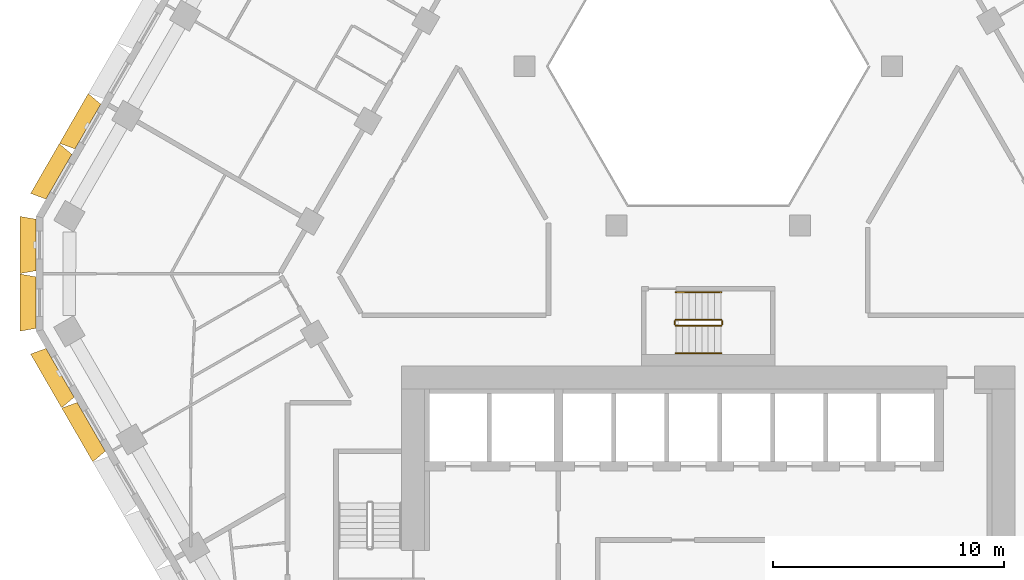
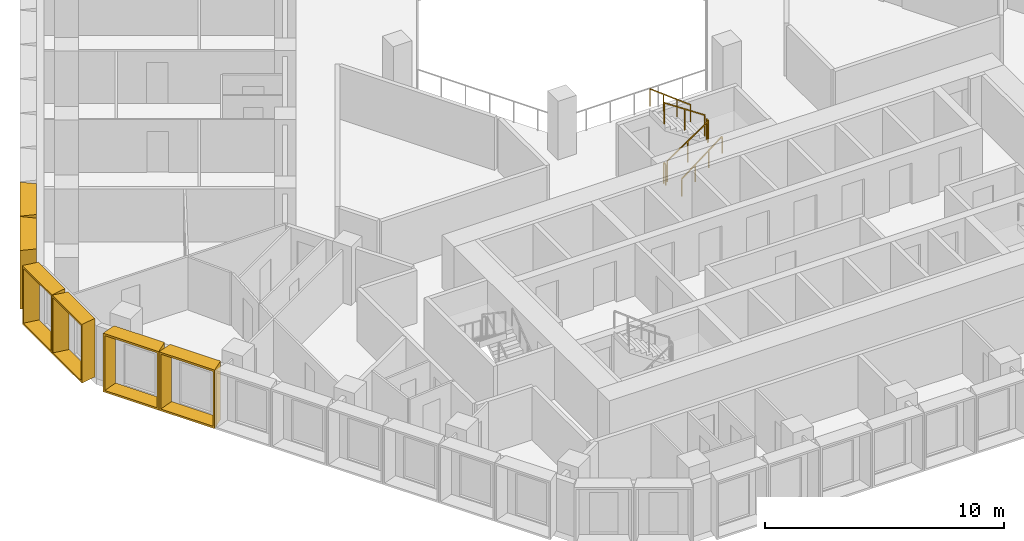
# One storey, part 16 of 18: 6 railings, 6 shading devices.
"""IFC4 building model written with IfcOpenShell, lengths in metres."""

import ifcopenshell
import ifcopenshell.guid

model = None  # the IFC model being written
_history = None  # IfcOwnerHistory: only IFC2X3 demands one
_inside = {}  # id of a spatial element -> (the spatial element, [elements in it])
_under = {}  # id of a project, library or spatial element -> (it, [spatial elements below it])
_declared = {}  # id of a project -> (the project, [libraries it declares])
_typed = {}  # id of a type object -> (the type object, [elements of that type])
_made_of = {}  # id of a material, layer set ... -> (it, [elements and type objects made of it])


def new_model(schema):
    """Start an empty IFC model of exactly this schema.

    Asked for "IFC4X3", IfcOpenShell would pick the latest addendum, in which some entities
    have other attributes; the version numbers below select the first issue.
    IFC2X3 requires an IfcOwnerHistory on every rooted entity: one is made here for all.
    """
    global model, _history
    if schema == "IFC4X3":
        model = ifcopenshell.file(schema_version=(4, 3, 0, 0))
    else:
        model = ifcopenshell.file(schema=schema)
    _inside.clear()
    _under.clear()
    _declared.clear()
    _typed.clear()
    _made_of.clear()
    _history = None
    if model.schema == "IFC2X3":
        org = make("IfcOrganization", Name="unknown")
        user = make(
            "IfcPersonAndOrganization",
            ThePerson=make("IfcPerson", FamilyName="unknown"),
            TheOrganization=org,
        )
        app = make(
            "IfcApplication",
            ApplicationDeveloper=org,
            Version="unknown",
            ApplicationFullName="unknown",
            ApplicationIdentifier="unknown",
        )
        _history = make(
            "IfcOwnerHistory",
            OwningUser=user,
            OwningApplication=app,
            ChangeAction="ADDED",
            CreationDate=0,
        )
    return model


def make(cls, **values):
    """One entity of the class cls with the attributes given. An attribute that is None is left unset."""
    return model.create_entity(
        cls, **{name: value for name, value in values.items() if value is not None}
    )


def entity(cls, *values):
    """Any entity or typed value of the class cls, its attributes in the order of the schema. None: left unset."""
    e = model.create_entity(cls)
    for i, value in enumerate(values):
        if value is not None:
            e[i] = value
    return e


def rooted(cls, **values):
    """An entity with a GlobalId (a new one), such as an element, a storey or a relation."""
    return make(cls, GlobalId=ifcopenshell.guid.new(), OwnerHistory=_history, **values)


def si_unit(unit_type, name, prefix=None):
    """IfcSIUnit, for example si_unit("LENGTHUNIT", "METRE", prefix="MILLI")."""
    return make("IfcSIUnit", UnitType=unit_type, Prefix=prefix, Name=name)


def assignment(units):
    """IfcUnitAssignment: the units of a project."""
    return None if units is None else make("IfcUnitAssignment", Units=units)


def point(xyz):
    """IfcCartesianPoint."""
    return None if xyz is None else make("IfcCartesianPoint", Coordinates=xyz)


def direction(xyz):
    """IfcDirection."""
    return None if xyz is None else make("IfcDirection", DirectionRatios=xyz)


def frame(location, z_axis=None, x_axis=None):
    """IfcAxis2Placement3D, a coordinate frame: its origin and axes. An axis left out is left unset."""
    return make(
        "IfcAxis2Placement3D",
        Location=point(location),
        Axis=direction(z_axis),
        RefDirection=direction(x_axis),
    )


def frame_2d(location, x_axis=None):
    """IfcAxis2Placement2D, a coordinate frame in the plane: its origin and x axis."""
    return make(
        "IfcAxis2Placement2D", Location=point(location), RefDirection=direction(x_axis)
    )


def origin():
    """The frame at (0, 0, 0) with its axes left unset."""
    return frame((0.0, 0.0, 0.0))


def origin_2d():
    """The frame at (0, 0) in the plane with its x axis left unset."""
    return frame_2d((0.0, 0.0))


def place(relative_to, where):
    """IfcLocalPlacement: puts the frame where relative to a parent placement (None: the world)."""
    return make(
        "IfcLocalPlacement", PlacementRelTo=relative_to, RelativePlacement=where
    )


def context(
    kind, dimensions, precision=None, world=None, true_north=None, identifier=None
):
    """IfcGeometricRepresentationContext, for example the 3D "Model" context."""
    return make(
        "IfcGeometricRepresentationContext",
        ContextIdentifier=identifier,
        ContextType=kind,
        CoordinateSpaceDimension=dimensions,
        Precision=precision,
        WorldCoordinateSystem=world,
        TrueNorth=true_north,
    )


def subcontext(parent, identifier, kind, view, scale=None):
    """IfcGeometricRepresentationSubContext, for example "Body" below "Model"."""
    return make(
        "IfcGeometricRepresentationSubContext",
        ContextIdentifier=identifier,
        ContextType=kind,
        ParentContext=parent,
        TargetScale=scale,
        TargetView=view,
    )


def project(units=None, contexts=None):
    """IfcProject with its units and contexts."""
    return rooted(
        "IfcProject",
        Name="project",
        RepresentationContexts=contexts,
        UnitsInContext=assignment(units),
    )


def spatial(cls, under=None, at=None, **own):
    """A site, building, storey or space (cls), placed at a placement, below another one or the project."""
    s = rooted(cls, ObjectPlacement=at, **own)
    if under is not None:
        _under.setdefault(under.id(), (under, []))[1].append(s)
    return s


def profile(cls, at=None, kind="AREA", **sizes):
    """A parametric profile (cls). Its sizes go by their IFC names, for example OverallWidth=200.0."""
    return make(cls, ProfileType=kind, Position=at, **sizes)


def rectangle(**sizes):
    """IfcRectangleProfileDef."""
    return profile("IfcRectangleProfileDef", **sizes)


def extrude(swept, where, along, depth):
    """IfcExtrudedAreaSolid: the profile swept, set in the frame where, extruded along a direction by depth."""
    return make(
        "IfcExtrudedAreaSolid",
        SweptArea=swept,
        Position=where,
        ExtrudedDirection=direction(along),
        Depth=depth,
    )


def shape(context_of_items, identifier, shape_type, items):
    """IfcShapeRepresentation: the items that make up one representation, for example the "Body"."""
    return make(
        "IfcShapeRepresentation",
        ContextOfItems=context_of_items,
        RepresentationIdentifier=identifier,
        RepresentationType=shape_type,
        Items=items,
    )


def source(mapping_origin, context_of_items, identifier, shape_type, items):
    """IfcRepresentationMap: a shape defined once, which mapped items show again and again."""
    return make(
        "IfcRepresentationMap",
        MappingOrigin=mapping_origin,
        MappedRepresentation=shape(context_of_items, identifier, shape_type, items),
    )


def transform(
    local_origin,
    x_axis=None,
    y_axis=None,
    z_axis=None,
    scale=None,
    scale2=None,
    scale3=None,
    uniform=True,
):
    """IfcCartesianTransformationOperator3D, or its non-uniform kind. x_axis, y_axis, z_axis: its Axis1, 2, 3."""
    if uniform:
        return make(
            "IfcCartesianTransformationOperator3D",
            Axis1=direction(x_axis),
            Axis2=direction(y_axis),
            LocalOrigin=point(local_origin),
            Scale=scale,
            Axis3=direction(z_axis),
        )
    return make(
        "IfcCartesianTransformationOperator3DnonUniform",
        Axis1=direction(x_axis),
        Axis2=direction(y_axis),
        LocalOrigin=point(local_origin),
        Scale=scale,
        Axis3=direction(z_axis),
        Scale2=scale2,
        Scale3=scale3,
    )


def mapped(mapping_source, mapping_target):
    """IfcMappedItem: shows the shape of a source again, moved by a transform."""
    return make(
        "IfcMappedItem", MappingSource=mapping_source, MappingTarget=mapping_target
    )


def material(Name=None, Category=None):
    """IfcMaterial."""
    return make("IfcMaterial", Name=Name, Category=Category)


def made_of(thing, what):
    """Note that an element or type object is made of a material, layer set ...; save() writes the relation."""
    if what is not None:
        _made_of.setdefault(what.id(), (what, []))[1].append(thing)
    return thing


def type_object(cls, material=None, **own):
    """A type object (cls), such as IfcWallType, which elements share."""
    return made_of(rooted(cls, **own), material)


def type_shapes(of_type, sources):
    """Give a type object the sources (RepresentationMaps) that its elements show as mapped items."""
    of_type.RepresentationMaps = sources


def element(
    cls,
    number,
    at=None,
    inside=None,
    cuts=None,
    type_object=None,
    material=None,
    context=None,
    identifier="Body",
    shape_type=None,
    held_by="IfcProductDefinitionShape",
    body=None,
    shapes=None,
    **own,
):
    """One element of the class cls, such as IfcWall. Its Tag is "e" and its number.

    at: its placement. inside: the storey or other place that contains it. cuts: it is an
    opening in that element (IfcRelVoidsElement). A single representation is given by context,
    identifier, shape_type and body (its items); several are given by shapes. held_by: the class
    of the entity that holds the representations. save() writes the other relations.
    """
    e = rooted(cls, Tag="e%d" % number, ObjectPlacement=at, **own)
    if body is not None:
        shapes = [shape(context, identifier, shape_type, body)]
    if shapes is not None:
        e.Representation = make(held_by, Representations=shapes)
    if inside is not None:
        _inside.setdefault(inside.id(), (inside, []))[1].append(e)
    if cuts is not None:
        rooted(
            "IfcRelVoidsElement", RelatingBuildingElement=cuts, RelatedOpeningElement=e
        )
    if type_object is not None:
        _typed.setdefault(type_object.id(), (type_object, []))[1].append(e)
    return made_of(e, material)


def aggregate(whole, parts):
    """IfcRelAggregates: a whole, such as a stair, and the parts it consists of."""
    return rooted("IfcRelAggregates", RelatingObject=whole, RelatedObjects=parts)


def save(model, path):
    """Write the relations noted so far, then the file.

    IfcRelAggregates (storeys below a building ...), IfcRelContainedInSpatialStructure (elements
    in a storey), IfcRelDefinesByType, IfcRelAssociatesMaterial and IfcRelDeclares: one each for
    every whole, place, type object, material and project.
    """
    for whole, parts in _under.values():
        aggregate(whole, parts)
    for where, things in _inside.values():
        rooted(
            "IfcRelContainedInSpatialStructure",
            RelatedElements=things,
            RelatingStructure=where,
        )
    for kind, things in _typed.values():
        rooted("IfcRelDefinesByType", RelatedObjects=things, RelatingType=kind)
    for what, things in _made_of.values():
        rooted("IfcRelAssociatesMaterial", RelatedObjects=things, RelatingMaterial=what)
    for by, libraries in _declared.values():
        rooted("IfcRelDeclares", RelatingContext=by, RelatedDefinitions=libraries)
    model.write(path)


model = new_model("IFC4")

# Units and contexts
model_context = context("Model", 3, precision=1e-05, world=origin(), true_north=direction((0.0, 1.0)))
body_context = subcontext(model_context, "Body", "Model", "MODEL_VIEW")
ifc_project = project(units=[si_unit("LENGTHUNIT", "METRE"), si_unit("AREAUNIT", "SQUARE_METRE"), si_unit("VOLUMEUNIT", "CUBIC_METRE"), si_unit("PLANEANGLEUNIT", "RADIAN"), si_unit("MASSUNIT", "GRAM", prefix="KILO")], contexts=[model_context])

# Site, building, storey
site_placement = place(None, origin())
site = spatial("IfcSite", under=ifc_project, at=site_placement, CompositionType="ELEMENT")
building_placement = place(site_placement, origin())
building = spatial("IfcBuilding", under=site, at=building_placement, Name="Beryl Residences", CompositionType="ELEMENT")
storey_placement = place(building_placement, frame((0.0, 0.0, 87.0)))
storey = spatial("IfcBuildingStorey", under=building, at=storey_placement, Name="L26", CompositionType="ELEMENT", Elevation=87.0)

# Shading devices
ifc_material_1 = material(Name="Aluminium pale anodised", Category="aluminium")
shading_device_type_1 = type_object("IfcShadingDeviceType", Name="FR250-70A OUTER SKIN frame 700 mm deep, splay 10/10 deg, 2500 x 3000 mm cell", PredefinedType="USERDEFINED", material=ifc_material_1)
cartesian_point_1 = entity("IfcCartesianPoint", [-1.116455078125, 0.0])
cartesian_point_2 = entity("IfcCartesianPoint", [-1.03515625, 0.10009765625])
cartesian_point_3 = entity("IfcCartesianPoint", [-1.239990234375, 0.0])
cartesian_point_4 = entity("IfcCartesianPoint", [-1.15869140625, 0.10009765625])
shared_shape_1 = source(origin(), body_context, "Body", "SweptSolid", [
    entity("IfcExtrudedAreaSolidTapered", entity("IfcArbitraryProfileDefWithVoids", "AREA", None, entity("IfcPolyline", [cartesian_point_1, entity("IfcCartesianPoint", [1.116455078125, 0.0]), entity("IfcCartesianPoint", [1.116455078125, 3.0]), entity("IfcCartesianPoint", [-1.116455078125, 3.0]), cartesian_point_1]), [entity("IfcPolyline", [cartesian_point_2, entity("IfcCartesianPoint", [1.03515625, 0.10009765625]), entity("IfcCartesianPoint", [1.03515625, 2.89990234375]), entity("IfcCartesianPoint", [-1.03515625, 2.89990234375]), cartesian_point_2])]), entity("IfcAxis2Placement3D", entity("IfcCartesianPoint", [0.0, 0.0, 0.0]), entity("IfcDirection", [0.0, 1.0, 0.0]), entity("IfcDirection", [-1.0, 0.0, 0.0])), entity("IfcDirection", [0.0, 0.0, 1.0]), 0.699951171875, entity("IfcArbitraryProfileDefWithVoids", "AREA", None, entity("IfcPolyline", [cartesian_point_3, entity("IfcCartesianPoint", [1.239990234375, 0.0]), entity("IfcCartesianPoint", [1.239990234375, 3.0]), entity("IfcCartesianPoint", [-1.239990234375, 3.0]), cartesian_point_3]), [entity("IfcPolyline", [cartesian_point_4, entity("IfcCartesianPoint", [1.15869140625, 0.10009765625]), entity("IfcCartesianPoint", [1.15869140625, 2.89990234375]), entity("IfcCartesianPoint", [-1.15869140625, 2.89990234375]), cartesian_point_4])])),
])
type_shapes(shading_device_type_1, [shared_shape_1])
for number, where, z_axis, x_axis, name in (
    (1, (-29.156982421875, 0.25, 0.0), (0.0, 0.0, 1.0), (0.0, 1.0, 0.0), "FR250-70A frame L26 NW-SW 1"),
    (2, (-29.156982421875, -2.25, 0.0), (0.0, 0.0, 1.0), (0.0, 1.0, 0.0), "FR250-70A frame L26 NW-SW 2"),
):
    element("IfcShadingDevice", number, at=place(storey_placement, frame(where, z_axis=z_axis, x_axis=x_axis)), inside=storey, type_object=shading_device_type_1, Name=name, ObjectType="OUTER SKIN", PredefinedType="USERDEFINED", context=body_context, shape_type="MappedRepresentation", body=[
        mapped(shared_shape_1, transform((0.0, 0.0, 0.0))),
    ])
ifc_material_2 = material(Name="Aluminium pale anodised", Category="aluminium")
shading_device_type_2 = type_object("IfcShadingDeviceType", Name="FR251-70A OUTER SKIN frame 700 mm deep, splay 10/10 deg, 2510 x 3000 mm cell", PredefinedType="USERDEFINED", material=ifc_material_2)
cartesian_point_5 = entity("IfcCartesianPoint", [-1.12158203125, 0.0])
cartesian_point_6 = entity("IfcCartesianPoint", [-1.040283203125, 0.10009765625])
cartesian_point_7 = entity("IfcCartesianPoint", [-1.244873046875, 0.0])
cartesian_point_8 = entity("IfcCartesianPoint", [-1.16357421875, 0.10009765625])
shared_shape_2 = source(origin(), body_context, "Body", "SweptSolid", [
    entity("IfcExtrudedAreaSolidTapered", entity("IfcArbitraryProfileDefWithVoids", "AREA", None, entity("IfcPolyline", [cartesian_point_5, entity("IfcCartesianPoint", [1.12158203125, 0.0]), entity("IfcCartesianPoint", [1.12158203125, 3.0]), entity("IfcCartesianPoint", [-1.12158203125, 3.0]), cartesian_point_5]), [entity("IfcPolyline", [cartesian_point_6, entity("IfcCartesianPoint", [1.040283203125, 0.10009765625]), entity("IfcCartesianPoint", [1.040283203125, 2.89990234375]), entity("IfcCartesianPoint", [-1.040283203125, 2.89990234375]), cartesian_point_6])]), entity("IfcAxis2Placement3D", entity("IfcCartesianPoint", [0.0, 0.0, 0.0]), entity("IfcDirection", [0.0, 1.0, 0.0]), entity("IfcDirection", [-1.0, 0.0, 0.0])), entity("IfcDirection", [0.0, 0.0, 1.0]), 0.699951171875, entity("IfcArbitraryProfileDefWithVoids", "AREA", None, entity("IfcPolyline", [cartesian_point_7, entity("IfcCartesianPoint", [1.244873046875, 0.0]), entity("IfcCartesianPoint", [1.244873046875, 3.0]), entity("IfcCartesianPoint", [-1.244873046875, 3.0]), cartesian_point_7]), [entity("IfcPolyline", [cartesian_point_8, entity("IfcCartesianPoint", [1.16357421875, 0.10009765625]), entity("IfcCartesianPoint", [1.16357421875, 2.89990234375]), entity("IfcCartesianPoint", [-1.16357421875, 2.89990234375]), cartesian_point_8])])),
])
type_shapes(shading_device_type_2, [shared_shape_2])
for number, where, z_axis, x_axis, name in (
    (3, (-26.912109375, 5.387939453125, 0.0), (0.0, 0.0, 1.0), (0.5, 0.866025403784, 0.0), "FR251-70A frame L26 NW 9"),
    (4, (-28.16796875, 3.212890625, 0.0), (0.0, 0.0, 1.0), (0.5, 0.866025403784, 0.0), "FR251-70A frame L26 NW 10"),
):
    element("IfcShadingDevice", number, at=place(storey_placement, frame(where, z_axis=z_axis, x_axis=x_axis)), inside=storey, type_object=shading_device_type_2, Name=name, ObjectType="OUTER SKIN", PredefinedType="USERDEFINED", context=body_context, shape_type="MappedRepresentation", body=[
        mapped(shared_shape_2, transform((0.0, 0.0, 0.0))),
    ])
ifc_material_3 = material(Name="Aluminium pale anodised", Category="aluminium")
shading_device_type_3 = type_object("IfcShadingDeviceType", Name="FR271-70A OUTER SKIN frame 700 mm deep, splay 10/10 deg, 2710 x 3000 mm cell", PredefinedType="USERDEFINED", material=ifc_material_3)
cartesian_point_9 = entity("IfcCartesianPoint", [-1.221435546875, 0.0])
cartesian_point_10 = entity("IfcCartesianPoint", [-1.140380859375, 0.10009765625])
cartesian_point_11 = entity("IfcCartesianPoint", [-1.344970703125, 0.0])
cartesian_point_12 = entity("IfcCartesianPoint", [-1.263671875, 0.10009765625])
shared_shape_3 = source(origin(), body_context, "Body", "SweptSolid", [
    entity("IfcExtrudedAreaSolidTapered", entity("IfcArbitraryProfileDefWithVoids", "AREA", None, entity("IfcPolyline", [cartesian_point_9, entity("IfcCartesianPoint", [1.221435546875, 0.0]), entity("IfcCartesianPoint", [1.221435546875, 3.0]), entity("IfcCartesianPoint", [-1.221435546875, 3.0]), cartesian_point_9]), [entity("IfcPolyline", [cartesian_point_10, entity("IfcCartesianPoint", [1.140380859375, 0.10009765625]), entity("IfcCartesianPoint", [1.140380859375, 2.89990234375]), entity("IfcCartesianPoint", [-1.140380859375, 2.89990234375]), cartesian_point_10])]), entity("IfcAxis2Placement3D", entity("IfcCartesianPoint", [0.0, 0.0, 0.0]), entity("IfcDirection", [0.0, 1.0, 0.0]), entity("IfcDirection", [-1.0, 0.0, 0.0])), entity("IfcDirection", [0.0, 0.0, 1.0]), 0.699951171875, entity("IfcArbitraryProfileDefWithVoids", "AREA", None, entity("IfcPolyline", [cartesian_point_11, entity("IfcCartesianPoint", [1.344970703125, 0.0]), entity("IfcCartesianPoint", [1.344970703125, 3.0]), entity("IfcCartesianPoint", [-1.344970703125, 3.0]), cartesian_point_11]), [entity("IfcPolyline", [cartesian_point_12, entity("IfcCartesianPoint", [1.263671875, 0.10009765625]), entity("IfcCartesianPoint", [1.263671875, 2.89990234375]), entity("IfcCartesianPoint", [-1.263671875, 2.89990234375]), cartesian_point_12])])),
])
type_shapes(shading_device_type_3, [shared_shape_3])
for number, where, z_axis, x_axis, name in (
    (5, (-28.118896484375, -5.2958984375, 0.0), (0.0, 0.0, 1.0), (-0.5, 0.866025403784, 0.0), "FR271-70A frame L26 SW 1"),
    (6, (-26.76611328125, -7.639892578125, 0.0), (0.0, 0.0, 1.0), (-0.5, 0.866025403784, 0.0), "FR271-70A frame L26 SW 2"),
):
    element("IfcShadingDevice", number, at=place(storey_placement, frame(where, z_axis=z_axis, x_axis=x_axis)), inside=storey, type_object=shading_device_type_3, Name=name, ObjectType="OUTER SKIN", PredefinedType="USERDEFINED", context=body_context, shape_type="MappedRepresentation", body=[
        mapped(shared_shape_3, transform((0.0, 0.0, 0.0))),
    ])

# Railings
ifc_material_4 = material(Name="Stainless steel balustrade with glass infill", Category="steel")
railing_type_1 = type_object("IfcRailingType", Name="SG1 stair guard 1100 mm", PredefinedType="GUARDRAIL", material=ifc_material_4)
railing_1_placement = place(storey_placement, frame((-1.39990234375, -3.25, 0.1875)))
element("IfcRailing", 7, at=railing_1_placement, inside=storey, type_object=railing_type_1, Name="L26 ST-4 stair guard 1", PredefinedType="GUARDRAIL", context=body_context, shape_type="SweptSolid", body=[
    extrude(rectangle(XDim=0.048095703125, YDim=0.048095703125, at=origin_2d()), frame((0.0, 0.0, 1.076171875), z_axis=(0.830902050051, 0.0, 0.556418712142), x_axis=(0.0, 1.0, 0.0)), (0.0, 0.0, 1.0), 2.35888671875),
    extrude(rectangle(XDim=0.0419921875, YDim=0.0419921875, at=origin_2d()), origin(), (0.0, 0.0, 1.0), 1.052001953125),
    extrude(rectangle(XDim=0.0419921875, YDim=0.0419921875, at=origin_2d()), frame((0.97998046875, 0.0, 0.65625)), (0.0, 0.0, 1.0), 1.052001953125),
    extrude(rectangle(XDim=0.0419921875, YDim=0.0419921875, at=origin_2d()), frame((1.9599609375, 0.0, 1.3125)), (0.0, 0.0, 1.0), 1.052001953125),
])
railing_2_placement = place(storey_placement, frame((0.610107421875, -3.199951171875, 1.5)))
element("IfcRailing", 8, at=railing_2_placement, inside=storey, type_object=railing_type_1, Name="L26 ST-4 stair guard 2", PredefinedType="GUARDRAIL", context=body_context, shape_type="SweptSolid", body=[
    extrude(rectangle(XDim=0.048095703125, YDim=0.048095703125, at=origin_2d()), frame((0.0, 0.0, 1.076171875), z_axis=(0.0, 1.0, 0.0), x_axis=(-1.0, 0.0, 0.0)), (0.0, 0.0, 1.0), 0.14990234375),
    extrude(rectangle(XDim=0.0419921875, YDim=0.0419921875, at=origin_2d()), origin(), (0.0, 0.0, 1.0), 1.052001953125),
    extrude(rectangle(XDim=0.0419921875, YDim=0.0419921875, at=origin_2d()), frame((0.0, 0.14990234375, 0.0)), (0.0, 0.0, 1.0), 1.052001953125),
])
railing_3_placement = place(storey_placement, frame((0.56005859375, -3.0, 1.6875)))
element("IfcRailing", 9, at=railing_3_placement, inside=storey, type_object=railing_type_1, Name="L26 ST-4 stair guard 3", PredefinedType="GUARDRAIL", context=body_context, shape_type="SweptSolid", body=[
    extrude(rectangle(XDim=0.048095703125, YDim=0.048095703125, at=origin_2d()), frame((0.0, 0.0, 1.076171875), z_axis=(-0.830902050051, 0.0, 0.556418712142), x_axis=(0.0, -1.0, 0.0)), (0.0, 0.0, 1.0), 2.35888671875),
    extrude(rectangle(XDim=0.0419921875, YDim=0.0419921875, at=origin_2d()), origin(), (0.0, 0.0, 1.0), 1.052001953125),
    extrude(rectangle(XDim=0.0419921875, YDim=0.0419921875, at=origin_2d()), frame((-0.97998046875, 0.0, 0.65625)), (0.0, 0.0, 1.0), 1.052001953125),
    extrude(rectangle(XDim=0.0419921875, YDim=0.0419921875, at=origin_2d()), frame((-1.9599609375, 0.0, 1.3125)), (0.0, 0.0, 1.0), 1.052001953125),
])
railing_4_placement = place(storey_placement, frame((-1.449951171875, -3.199951171875, 0.0)))
element("IfcRailing", 10, at=railing_4_placement, inside=storey, type_object=railing_type_1, Name="L26 ST-4 stair guard 4", PredefinedType="GUARDRAIL", context=body_context, shape_type="SweptSolid", body=[
    extrude(rectangle(XDim=0.048095703125, YDim=0.048095703125, at=origin_2d()), frame((0.0, 0.0, 1.076171875), z_axis=(0.0, 1.0, 0.0), x_axis=(-1.0, 0.0, 0.0)), (0.0, 0.0, 1.0), 0.14990234375),
    extrude(rectangle(XDim=0.0419921875, YDim=0.0419921875, at=origin_2d()), origin(), (0.0, 0.0, 1.0), 1.052001953125),
    extrude(rectangle(XDim=0.0419921875, YDim=0.0419921875, at=origin_2d()), frame((0.0, 0.14990234375, 0.0)), (0.0, 0.0, 1.0), 1.052001953125),
])
ifc_material_5 = material(Name="Stainless steel handrail", Category="steel")
railing_type_2 = type_object("IfcRailingType", Name="SRL1 stair handrail 900 mm", PredefinedType="HANDRAIL", material=ifc_material_5)
railing_5_placement = place(storey_placement, frame((-1.39990234375, -4.449951171875, 0.1875)))
element("IfcRailing", 11, at=railing_5_placement, inside=storey, type_object=railing_type_2, Name="L26 ST-4 stair handrail 1", PredefinedType="HANDRAIL", context=body_context, shape_type="SweptSolid", body=[
    extrude(rectangle(XDim=0.048095703125, YDim=0.048095703125, at=origin_2d()), frame((0.0, 0.0, 0.8759765625), z_axis=(0.794121922505, 0.0, 0.607758481798), x_axis=(0.0, 1.0, 0.0)), (0.0, 0.0, 1.0), 2.468017578125),
    extrude(rectangle(XDim=0.0419921875, YDim=0.0419921875, at=origin_2d()), origin(), (0.0, 0.0, 1.0), 0.851806640625),
    extrude(rectangle(XDim=0.0419921875, YDim=0.0419921875, at=origin_2d()), frame((0.6533203125, 0.0, 0.5)), (0.0, 0.0, 1.0), 0.851806640625),
    extrude(rectangle(XDim=0.0419921875, YDim=0.0419921875, at=origin_2d()), frame((1.306640625, 0.0, 1.0)), (0.0, 0.0, 1.0), 0.851806640625),
    extrude(rectangle(XDim=0.0419921875, YDim=0.0419921875, at=origin_2d()), frame((1.9599609375, 0.0, 1.5)), (0.0, 0.0, 1.0), 0.851806640625),
])
railing_6_placement = place(storey_placement, frame((0.56005859375, -1.800048828125, 1.6875)))
element("IfcRailing", 12, at=railing_6_placement, inside=storey, type_object=railing_type_2, Name="L26 ST-4 stair handrail 2", PredefinedType="HANDRAIL", context=body_context, shape_type="SweptSolid", body=[
    extrude(rectangle(XDim=0.048095703125, YDim=0.048095703125, at=origin_2d()), frame((0.0, 0.0, 0.8759765625), z_axis=(-0.794121922505, 0.0, 0.607758481798), x_axis=(0.0, -1.0, 0.0)), (0.0, 0.0, 1.0), 2.468017578125),
    extrude(rectangle(XDim=0.0419921875, YDim=0.0419921875, at=origin_2d()), origin(), (0.0, 0.0, 1.0), 0.851806640625),
    extrude(rectangle(XDim=0.0419921875, YDim=0.0419921875, at=origin_2d()), frame((-0.6533203125, 0.0, 0.5)), (0.0, 0.0, 1.0), 0.851806640625),
    extrude(rectangle(XDim=0.0419921875, YDim=0.0419921875, at=origin_2d()), frame((-1.306640625, 0.0, 1.0)), (0.0, 0.0, 1.0), 0.851806640625),
    extrude(rectangle(XDim=0.0419921875, YDim=0.0419921875, at=origin_2d()), frame((-1.9599609375, 0.0, 1.5)), (0.0, 0.0, 1.0), 0.851806640625),
])

save(model, "model.ifc")
